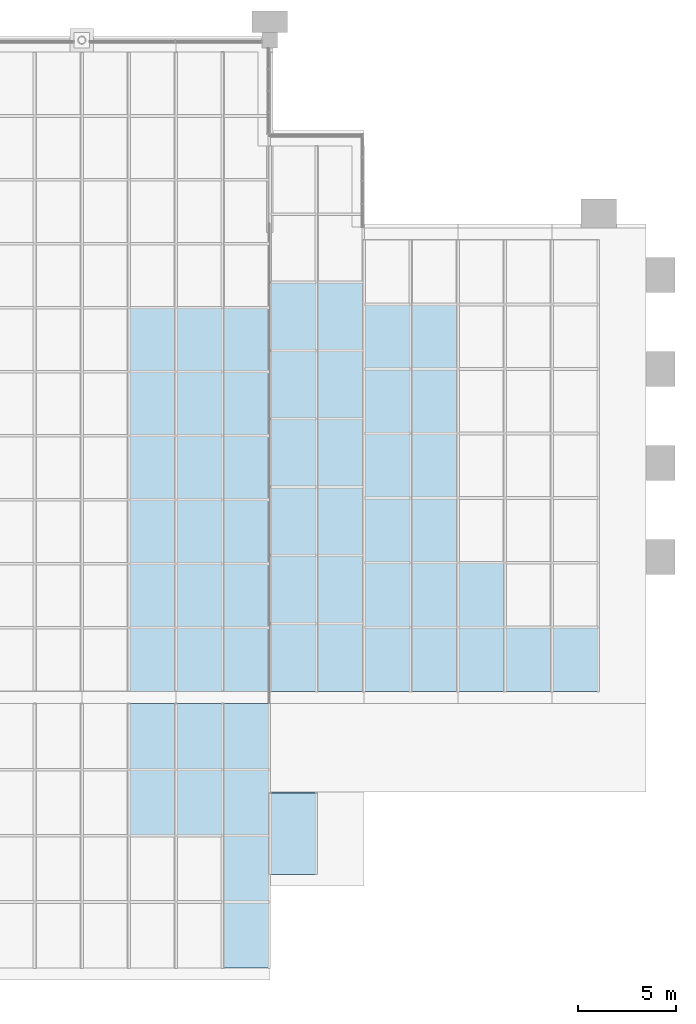
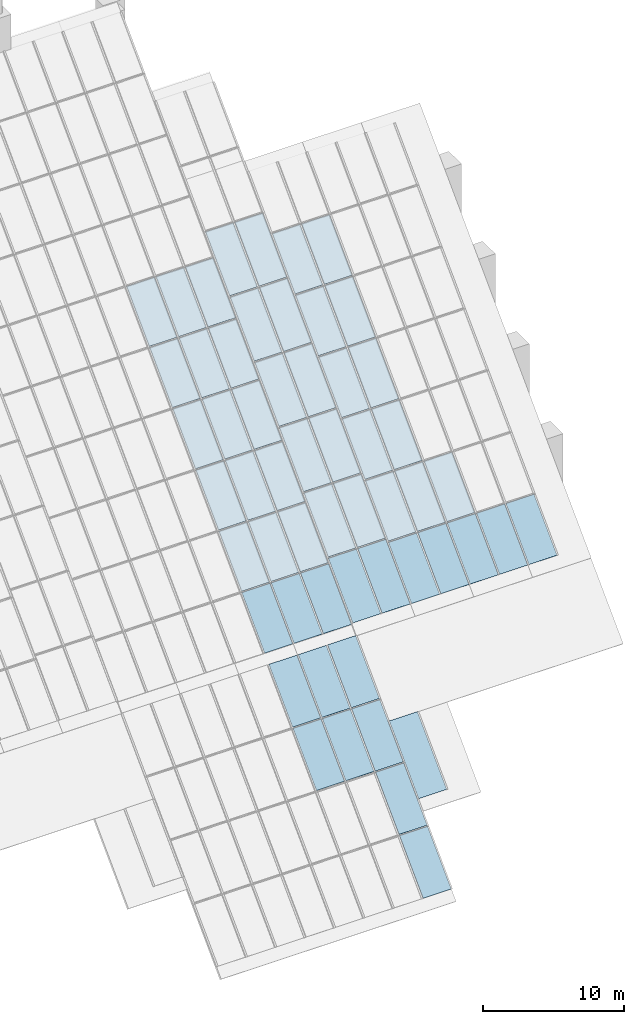
# One storey, part 19 of 25: 55 plates, 14 elements without a shape of their own.
"""IFC4 building model written with IfcOpenShell, lengths in metres."""

from ifc_helpers import new_model, si_unit, direction, frame, origin, place, context, subcontext, project, spatial, polyline, outline, extrude, material, layer, layer_set, type_object, element, aggregate, save


model = new_model("IFC4")

# Units and contexts
model_context = context("Model", 3, precision=1e-05, world=origin(), true_north=direction((0.0, 1.0)))
body_context = subcontext(model_context, "Body", "Model", "MODEL_VIEW")
ifc_project = project(units=[si_unit("LENGTHUNIT", "METRE"), si_unit("AREAUNIT", "SQUARE_METRE"), si_unit("VOLUMEUNIT", "CUBIC_METRE"), si_unit("PLANEANGLEUNIT", "RADIAN"), si_unit("MASSUNIT", "GRAM", prefix="KILO")], contexts=[model_context])

# Site, building, storey
site_placement = place(None, origin())
site = spatial("IfcSite", under=ifc_project, at=site_placement, CompositionType="ELEMENT")
building_placement = place(site_placement, origin())
building = spatial("IfcBuilding", under=site, at=building_placement, Name="Baori Bourse Tower", CompositionType="ELEMENT")
storey_placement = place(building_placement, frame((0.0, 0.0, 378.300048828125)))
storey = spatial("IfcBuildingStorey", under=building, at=storey_placement, Name="Roof", CompositionType="ELEMENT", Elevation=378.300048828125)

# Curtain wall, plates
ifc_material_1 = material(Name="Pale anodised aluminium", Category="aluminium")
curtain_wall_type = type_object("IfcCurtainWallType", Name="CW4 Curtain wall", PredefinedType="NOTDEFINED", material=ifc_material_1)
curtain_wall_1_placement = place(storey_placement, origin())
curtain_wall_1 = element("IfcCurtainWall", 1, at=curtain_wall_1_placement, inside=storey, type_object=curtain_wall_type, Name="Curtain wall CW4 roof glazing 19", PredefinedType="NOTDEFINED")
ifc_material_2 = material(Name="Clear glass", Category="glass")
ifc_layer = layer(ifc_material_2, 0.02587890625)
ifc_layer_set = layer_set([ifc_layer], Name="CW4 Curtain wall panel")
plate_type = type_object("IfcPlateType", Name="CW4 Curtain wall panel", PredefinedType="CURTAIN_PANEL", material=ifc_layer_set)
plate_1_placement = place(storey_placement, frame((31.25, 14.723388671875, -0.474365234375), z_axis=(0.0, -0.711461493798, 0.702725083403), x_axis=(1.0, 0.0, 0.0)))
plate_1 = element("IfcPlate", 2, at=plate_1_placement, type_object=plate_type, Name="Curtain wall CW4 roof glass 19.1", PredefinedType="CURTAIN_PANEL", context=body_context, shape_type="SweptSolid", body=[
    extrude(outline(polyline([(0.0, 0.0), (2.300048828125, 0.0), (2.300048828125, 4.610955907978166), (0.0, 4.610955907978166), (0.0, 0.0)])), origin(), (0.0, 0.0, -1.0), 0.02587890625),
])
plate_2_placement = place(storey_placement, frame((31.25, 18.0185546875, 2.86181640625), z_axis=(0.0, -0.711498538382, 0.702687576296), x_axis=(1.0, 0.0, 0.0)))
plate_2 = element("IfcPlate", 3, at=plate_2_placement, type_object=plate_type, Name="Curtain wall CW4 roof glass 19.2", PredefinedType="CURTAIN_PANEL", context=body_context, shape_type="SweptSolid", body=[
    extrude(outline(polyline([(0.0, 0.0), (2.300048828125, 0.0), (2.300048828125, 4.571941489715928), (0.0, 4.571941489715928), (0.0, 0.0)])), origin(), (0.0, 0.0, -1.0), 0.02587890625),
])
plate_3_placement = place(storey_placement, frame((31.25, 21.286376953125, 6.17041015625), z_axis=(0.0, -0.711498538382, 0.702687576296), x_axis=(1.0, 0.0, 0.0)))
plate_3 = element("IfcPlate", 4, at=plate_3_placement, type_object=plate_type, Name="Curtain wall CW4 roof glass 19.3", PredefinedType="CURTAIN_PANEL", context=body_context, shape_type="SweptSolid", body=[
    extrude(outline(polyline([(0.0, 0.0), (2.300048828125, 0.0), (2.300048828125, 4.571941489715928), (0.0, 4.571941489715928), (0.0, 0.0)])), origin(), (0.0, 0.0, -1.0), 0.02587890625),
])
plate_4_placement = place(storey_placement, frame((31.25, 24.553955078125, 9.47900390625), z_axis=(0.0, -0.711472169684, 0.702714274628), x_axis=(1.0, 0.0, 0.0)))
plate_4 = element("IfcPlate", 5, at=plate_4_placement, type_object=plate_type, Name="Curtain wall CW4 roof glass 19.4", PredefinedType="CURTAIN_PANEL", context=body_context, shape_type="SweptSolid", body=[
    extrude(outline(polyline([(0.0, 0.0), (2.300048828125, 0.0), (2.300048828125, 4.571767787236855), (0.0, 4.571767787236855), (0.0, 0.0)])), origin(), (0.0, 0.0, -1.0), 0.02587890625),
])
plate_5_placement = place(storey_placement, frame((31.25, 27.821533203125, 12.787353515625), z_axis=(0.0, -0.711498538382, 0.702687576296), x_axis=(1.0, 0.0, 0.0)))
plate_5 = element("IfcPlate", 6, at=plate_5_placement, type_object=plate_type, Name="Curtain wall CW4 roof glass 19.5", PredefinedType="CURTAIN_PANEL", context=body_context, shape_type="SweptSolid", body=[
    extrude(outline(polyline([(0.0, 0.0), (2.300048828125, 0.0), (2.300048828125, 4.571941489715928), (0.0, 4.571941489715928), (0.0, 0.0)])), origin(), (0.0, 0.0, -1.0), 0.02587890625),
])
plate_6_placement = place(storey_placement, frame((31.25, 31.089111328125, 16.095947265625), z_axis=(0.0, -0.71144547132, 0.702741304704), x_axis=(1.0, 0.0, 0.0)))
plate_6 = element("IfcPlate", 7, at=plate_6_placement, type_object=plate_type, Name="Curtain wall CW4 roof glass 19.6", PredefinedType="CURTAIN_PANEL", context=body_context, shape_type="SweptSolid", body=[
    extrude(outline(polyline([(0.0, 0.0), (2.300048828125, 0.0), (2.300048828125, 4.57193935163869), (0.0, 4.57193935163869), (0.0, 0.0)])), origin(), (0.0, 0.0, -1.0), 0.02587890625),
])
aggregate(curtain_wall_1, [plate_1, plate_2, plate_3, plate_4, plate_5, plate_6])

curtain_wall_2_placement = place(storey_placement, origin())
curtain_wall_2 = element("IfcCurtainWall", 8, at=curtain_wall_2_placement, inside=storey, type_object=curtain_wall_type, Name="Curtain wall CW4 roof glazing 20", PredefinedType="NOTDEFINED")
plate_7_placement = place(storey_placement, frame((31.25, 7.3896484375, -7.89990234375), z_axis=(0.0, -0.711477384049, 0.702708995236), x_axis=(1.0, 0.0, 0.0)))
plate_7 = element("IfcPlate", 9, at=plate_7_placement, type_object=plate_type, Name="Curtain wall CW4 roof glass 20.3", PredefinedType="CURTAIN_PANEL", context=body_context, shape_type="SweptSolid", body=[
    extrude(outline(polyline([(0.0, 0.0), (2.300048828125, 0.0), (2.300048828125, 4.733356051435262), (0.0, 4.733356051435262), (0.0, 0.0)])), origin(), (0.0, 0.0, -1.0), 0.02587890625),
])
plate_8_placement = place(storey_placement, frame((31.25, 10.770751953125, -4.4765625), z_axis=(0.0, -0.711492286717, 0.702693906293), x_axis=(1.0, 0.0, 0.0)))
plate_8 = element("IfcPlate", 10, at=plate_8_placement, type_object=plate_type, Name="Curtain wall CW4 roof glass 20.4", PredefinedType="CURTAIN_PANEL", context=body_context, shape_type="SweptSolid", body=[
    extrude(outline(polyline([(0.0, 0.0), (2.300048828125, 0.0), (2.300048828125, 4.772717872730097), (0.0, 4.772717872730097), (0.0, 0.0)])), origin(), (0.0, 0.0, -1.0), 0.02587890625),
])
aggregate(curtain_wall_2, [plate_7, plate_8])

curtain_wall_3_placement = place(storey_placement, origin())
curtain_wall_3 = element("IfcCurtainWall", 11, at=curtain_wall_3_placement, inside=storey, type_object=curtain_wall_type, Name="Curtain wall CW4 roof glazing 21", PredefinedType="NOTDEFINED")
plate_9_placement = place(storey_placement, frame((33.64990234375, 14.723388671875, -0.474365234375), z_axis=(0.0, -0.711461493798, 0.702725083403), x_axis=(1.0, 0.0, 0.0)))
plate_9 = element("IfcPlate", 12, at=plate_9_placement, type_object=plate_type, Name="Curtain wall CW4 roof glass 21.1", PredefinedType="CURTAIN_PANEL", context=body_context, shape_type="SweptSolid", body=[
    extrude(outline(polyline([(0.0, 0.0), (2.300048828125, 0.0), (2.300048828125, 4.610955907978166), (0.0, 4.610955907978166), (0.0, 0.0)])), origin(), (0.0, 0.0, -1.0), 0.02587890625),
])
plate_10_placement = place(storey_placement, frame((33.64990234375, 18.0185546875, 2.86181640625), z_axis=(0.0, -0.711498538382, 0.702687576296), x_axis=(1.0, 0.0, 0.0)))
plate_10 = element("IfcPlate", 13, at=plate_10_placement, type_object=plate_type, Name="Curtain wall CW4 roof glass 21.2", PredefinedType="CURTAIN_PANEL", context=body_context, shape_type="SweptSolid", body=[
    extrude(outline(polyline([(0.0, 0.0), (2.300048828125, 0.0), (2.300048828125, 4.571941489715928), (0.0, 4.571941489715928), (0.0, 0.0)])), origin(), (0.0, 0.0, -1.0), 0.02587890625),
])
plate_11_placement = place(storey_placement, frame((33.64990234375, 21.286376953125, 6.17041015625), z_axis=(0.0, -0.711498538382, 0.702687576296), x_axis=(1.0, 0.0, 0.0)))
plate_11 = element("IfcPlate", 14, at=plate_11_placement, type_object=plate_type, Name="Curtain wall CW4 roof glass 21.3", PredefinedType="CURTAIN_PANEL", context=body_context, shape_type="SweptSolid", body=[
    extrude(outline(polyline([(0.0, 0.0), (2.300048828125, 0.0), (2.300048828125, 4.571941489715928), (0.0, 4.571941489715928), (0.0, 0.0)])), origin(), (0.0, 0.0, -1.0), 0.02587890625),
])
plate_12_placement = place(storey_placement, frame((33.64990234375, 24.553955078125, 9.47900390625), z_axis=(0.0, -0.711472169684, 0.702714274628), x_axis=(1.0, 0.0, 0.0)))
plate_12 = element("IfcPlate", 15, at=plate_12_placement, type_object=plate_type, Name="Curtain wall CW4 roof glass 21.4", PredefinedType="CURTAIN_PANEL", context=body_context, shape_type="SweptSolid", body=[
    extrude(outline(polyline([(0.0, 0.0), (2.300048828125, 0.0), (2.300048828125, 4.571767787236855), (0.0, 4.571767787236855), (0.0, 0.0)])), origin(), (0.0, 0.0, -1.0), 0.02587890625),
])
plate_13_placement = place(storey_placement, frame((33.64990234375, 27.821533203125, 12.787353515625), z_axis=(0.0, -0.711498538382, 0.702687576296), x_axis=(1.0, 0.0, 0.0)))
plate_13 = element("IfcPlate", 16, at=plate_13_placement, type_object=plate_type, Name="Curtain wall CW4 roof glass 21.5", PredefinedType="CURTAIN_PANEL", context=body_context, shape_type="SweptSolid", body=[
    extrude(outline(polyline([(0.0, 0.0), (2.300048828125, 0.0), (2.300048828125, 4.571941489715928), (0.0, 4.571941489715928), (0.0, 0.0)])), origin(), (0.0, 0.0, -1.0), 0.02587890625),
])
plate_14_placement = place(storey_placement, frame((33.64990234375, 31.089111328125, 16.095947265625), z_axis=(0.0, -0.71144547132, 0.702741304704), x_axis=(1.0, 0.0, 0.0)))
plate_14 = element("IfcPlate", 17, at=plate_14_placement, type_object=plate_type, Name="Curtain wall CW4 roof glass 21.6", PredefinedType="CURTAIN_PANEL", context=body_context, shape_type="SweptSolid", body=[
    extrude(outline(polyline([(0.0, 0.0), (2.300048828125, 0.0), (2.300048828125, 4.57193935163869), (0.0, 4.57193935163869), (0.0, 0.0)])), origin(), (0.0, 0.0, -1.0), 0.02587890625),
])
aggregate(curtain_wall_3, [plate_9, plate_10, plate_11, plate_12, plate_13, plate_14])

curtain_wall_4_placement = place(storey_placement, origin())
curtain_wall_4 = element("IfcCurtainWall", 18, at=curtain_wall_4_placement, inside=storey, type_object=curtain_wall_type, Name="Curtain wall CW4 roof glazing 22", PredefinedType="NOTDEFINED")
plate_15_placement = place(storey_placement, frame((33.64990234375, 7.3896484375, -7.89990234375), z_axis=(0.0, -0.711477384049, 0.702708995236), x_axis=(1.0, 0.0, 0.0)))
plate_15 = element("IfcPlate", 19, at=plate_15_placement, type_object=plate_type, Name="Curtain wall CW4 roof glass 22.3", PredefinedType="CURTAIN_PANEL", context=body_context, shape_type="SweptSolid", body=[
    extrude(outline(polyline([(0.0, 0.0), (2.300048828125, 0.0), (2.300048828125, 4.733356051435262), (0.0, 4.733356051435262), (0.0, 0.0)])), origin(), (0.0, 0.0, -1.0), 0.02587890625),
])
plate_16_placement = place(storey_placement, frame((33.64990234375, 10.770751953125, -4.4765625), z_axis=(0.0, -0.711492286717, 0.702693906293), x_axis=(1.0, 0.0, 0.0)))
plate_16 = element("IfcPlate", 20, at=plate_16_placement, type_object=plate_type, Name="Curtain wall CW4 roof glass 22.4", PredefinedType="CURTAIN_PANEL", context=body_context, shape_type="SweptSolid", body=[
    extrude(outline(polyline([(0.0, 0.0), (2.300048828125, 0.0), (2.300048828125, 4.772717872730097), (0.0, 4.772717872730097), (0.0, 0.0)])), origin(), (0.0, 0.0, -1.0), 0.02587890625),
])
aggregate(curtain_wall_4, [plate_15, plate_16])

curtain_wall_5_placement = place(storey_placement, origin())
curtain_wall_5 = element("IfcCurtainWall", 21, at=curtain_wall_5_placement, inside=storey, type_object=curtain_wall_type, Name="Curtain wall CW4 roof glazing 23", PredefinedType="NOTDEFINED")
plate_17_placement = place(storey_placement, frame((36.050048828125, 14.723388671875, -0.474365234375), z_axis=(0.0, -0.711461493798, 0.702725083403), x_axis=(1.0, 0.0, 0.0)))
plate_17 = element("IfcPlate", 22, at=plate_17_placement, type_object=plate_type, Name="Curtain wall CW4 roof glass 23.1", PredefinedType="CURTAIN_PANEL", context=body_context, shape_type="SweptSolid", body=[
    extrude(outline(polyline([(0.0, 0.0), (2.300048828125, 0.0), (2.300048828125, 4.610955907978166), (0.0, 4.610955907978166), (0.0, 0.0)])), origin(), (0.0, 0.0, -1.0), 0.02587890625),
])
plate_18_placement = place(storey_placement, frame((36.050048828125, 18.0185546875, 2.86181640625), z_axis=(0.0, -0.711498538382, 0.702687576296), x_axis=(1.0, 0.0, 0.0)))
plate_18 = element("IfcPlate", 23, at=plate_18_placement, type_object=plate_type, Name="Curtain wall CW4 roof glass 23.2", PredefinedType="CURTAIN_PANEL", context=body_context, shape_type="SweptSolid", body=[
    extrude(outline(polyline([(0.0, 0.0), (2.300048828125, 0.0), (2.300048828125, 4.571941489715928), (0.0, 4.571941489715928), (0.0, 0.0)])), origin(), (0.0, 0.0, -1.0), 0.02587890625),
])
plate_19_placement = place(storey_placement, frame((36.050048828125, 21.286376953125, 6.17041015625), z_axis=(0.0, -0.711498538382, 0.702687576296), x_axis=(1.0, 0.0, 0.0)))
plate_19 = element("IfcPlate", 24, at=plate_19_placement, type_object=plate_type, Name="Curtain wall CW4 roof glass 23.3", PredefinedType="CURTAIN_PANEL", context=body_context, shape_type="SweptSolid", body=[
    extrude(outline(polyline([(0.0, 0.0), (2.300048828125, 0.0), (2.300048828125, 4.571941489715928), (0.0, 4.571941489715928), (0.0, 0.0)])), origin(), (0.0, 0.0, -1.0), 0.02587890625),
])
plate_20_placement = place(storey_placement, frame((36.050048828125, 24.553955078125, 9.47900390625), z_axis=(0.0, -0.711472169684, 0.702714274628), x_axis=(1.0, 0.0, 0.0)))
plate_20 = element("IfcPlate", 25, at=plate_20_placement, type_object=plate_type, Name="Curtain wall CW4 roof glass 23.4", PredefinedType="CURTAIN_PANEL", context=body_context, shape_type="SweptSolid", body=[
    extrude(outline(polyline([(0.0, 0.0), (2.300048828125, 0.0), (2.300048828125, 4.571767787236855), (0.0, 4.571767787236855), (0.0, 0.0)])), origin(), (0.0, 0.0, -1.0), 0.02587890625),
])
plate_21_placement = place(storey_placement, frame((36.050048828125, 27.821533203125, 12.787353515625), z_axis=(0.0, -0.711498538382, 0.702687576296), x_axis=(1.0, 0.0, 0.0)))
plate_21 = element("IfcPlate", 26, at=plate_21_placement, type_object=plate_type, Name="Curtain wall CW4 roof glass 23.5", PredefinedType="CURTAIN_PANEL", context=body_context, shape_type="SweptSolid", body=[
    extrude(outline(polyline([(0.0, 0.0), (2.300048828125, 0.0), (2.300048828125, 4.571941489715928), (0.0, 4.571941489715928), (0.0, 0.0)])), origin(), (0.0, 0.0, -1.0), 0.02587890625),
])
plate_22_placement = place(storey_placement, frame((36.050048828125, 31.089111328125, 16.095947265625), z_axis=(0.0, -0.71144547132, 0.702741304704), x_axis=(1.0, 0.0, 0.0)))
plate_22 = element("IfcPlate", 27, at=plate_22_placement, type_object=plate_type, Name="Curtain wall CW4 roof glass 23.6", PredefinedType="CURTAIN_PANEL", context=body_context, shape_type="SweptSolid", body=[
    extrude(outline(polyline([(0.0, 0.0), (2.300048828125, 0.0), (2.300048828125, 4.57193935163869), (0.0, 4.57193935163869), (0.0, 0.0)])), origin(), (0.0, 0.0, -1.0), 0.02587890625),
])
aggregate(curtain_wall_5, [plate_17, plate_18, plate_19, plate_20, plate_21, plate_22])

curtain_wall_6_placement = place(storey_placement, origin())
curtain_wall_6 = element("IfcCurtainWall", 28, at=curtain_wall_6_placement, inside=storey, type_object=curtain_wall_type, Name="Curtain wall CW4 roof glazing 24", PredefinedType="NOTDEFINED")
plate_23_placement = place(storey_placement, frame((36.050048828125, 0.60009765625, -14.7744140625), z_axis=(0.0, -0.711492602999, 0.702693586051), x_axis=(1.0, 0.0, 0.0)))
plate_23 = element("IfcPlate", 29, at=plate_23_placement, type_object=plate_type, Name="Curtain wall CW4 roof glass 24.1", PredefinedType="CURTAIN_PANEL", context=body_context, shape_type="SweptSolid", body=[
    extrude(outline(polyline([(0.0, 0.0), (2.300048828125, 0.0), (2.300048828125, 4.772372612429553), (0.0, 4.772372612429553), (0.0, 0.0)])), origin(), (0.0, 0.0, -1.0), 0.02587890625),
])
plate_24_placement = place(storey_placement, frame((36.050048828125, 4.008544921875, -11.3232421875), z_axis=(0.0, -0.711477384049, 0.702708995236), x_axis=(1.0, 0.0, 0.0)))
plate_24 = element("IfcPlate", 30, at=plate_24_placement, type_object=plate_type, Name="Curtain wall CW4 roof glass 24.2", PredefinedType="CURTAIN_PANEL", context=body_context, shape_type="SweptSolid", body=[
    extrude(outline(polyline([(0.0, 0.0), (2.300048828125, 0.0), (2.300048828125, 4.733356051435262), (0.0, 4.733356051435262), (0.0, 0.0)])), origin(), (0.0, 0.0, -1.0), 0.02587890625),
])
plate_25_placement = place(storey_placement, frame((36.050048828125, 7.3896484375, -7.89990234375), z_axis=(0.0, -0.711477384049, 0.702708995236), x_axis=(1.0, 0.0, 0.0)))
plate_25 = element("IfcPlate", 31, at=plate_25_placement, type_object=plate_type, Name="Curtain wall CW4 roof glass 24.3", PredefinedType="CURTAIN_PANEL", context=body_context, shape_type="SweptSolid", body=[
    extrude(outline(polyline([(0.0, 0.0), (2.300048828125, 0.0), (2.300048828125, 4.733356051435262), (0.0, 4.733356051435262), (0.0, 0.0)])), origin(), (0.0, 0.0, -1.0), 0.02587890625),
])
plate_26_placement = place(storey_placement, frame((36.050048828125, 10.770751953125, -4.4765625), z_axis=(0.0, -0.711492286717, 0.702693906293), x_axis=(1.0, 0.0, 0.0)))
plate_26 = element("IfcPlate", 32, at=plate_26_placement, type_object=plate_type, Name="Curtain wall CW4 roof glass 24.4", PredefinedType="CURTAIN_PANEL", context=body_context, shape_type="SweptSolid", body=[
    extrude(outline(polyline([(0.0, 0.0), (2.300048828125, 0.0), (2.300048828125, 4.772717872730097), (0.0, 4.772717872730097), (0.0, 0.0)])), origin(), (0.0, 0.0, -1.0), 0.02587890625),
])
aggregate(curtain_wall_6, [plate_23, plate_24, plate_25, plate_26])

curtain_wall_7_placement = place(storey_placement, origin())
curtain_wall_7 = element("IfcCurtainWall", 33, at=curtain_wall_7_placement, inside=storey, type_object=curtain_wall_type, Name="Curtain wall CW4 roof glazing 25", PredefinedType="NOTDEFINED")
plate_27_placement = place(storey_placement, frame((38.449951171875, 14.723388671875, -0.38916015625), z_axis=(0.0, -0.711509528176, 0.702676448527), x_axis=(1.0, 0.0, 0.0)))
plate_27 = element("IfcPlate", 34, at=plate_27_placement, type_object=plate_type, Name="Curtain wall CW4 roof glass 25.1", PredefinedType="CURTAIN_PANEL", context=body_context, shape_type="SweptSolid", body=[
    extrude(outline(polyline([(0.0, 0.0), (2.300048828125, 0.0), (2.300048828125, 4.919805206575271), (0.0, 4.919805206575271), (0.0, 0.0)])), origin(), (0.0, 0.0, -1.0), 0.02587890625),
])
plate_28_placement = place(storey_placement, frame((38.449951171875, 18.235595703125, 3.1669921875), z_axis=(0.0, -0.711495214068, 0.702690942277), x_axis=(1.0, 0.0, 0.0)))
plate_28 = element("IfcPlate", 35, at=plate_28_placement, type_object=plate_type, Name="Curtain wall CW4 roof glass 25.2", PredefinedType="CURTAIN_PANEL", context=body_context, shape_type="SweptSolid", body=[
    extrude(outline(polyline([(0.0, 0.0), (2.300048828125, 0.0), (2.300048828125, 4.88044338277737), (0.0, 4.88044338277737), (0.0, 0.0)])), origin(), (0.0, 0.0, -1.0), 0.02587890625),
])
plate_29_placement = place(storey_placement, frame((38.449951171875, 21.719970703125, 6.695068359375), z_axis=(0.0, -0.711470204299, 0.702716264501), x_axis=(1.0, 0.0, 0.0)))
plate_29 = element("IfcPlate", 36, at=plate_29_placement, type_object=plate_type, Name="Curtain wall CW4 roof glass 25.3", PredefinedType="CURTAIN_PANEL", context=body_context, shape_type="SweptSolid", body=[
    extrude(outline(polyline([(0.0, 0.0), (2.300048828125, 0.0), (2.300048828125, 4.880614941274346), (0.0, 4.880614941274346), (0.0, 0.0)])), origin(), (0.0, 0.0, -1.0), 0.02587890625),
])
plate_30_placement = place(storey_placement, frame((38.449951171875, 25.20458984375, 10.22314453125), z_axis=(0.0, -0.711470204299, 0.702716264501), x_axis=(1.0, 0.0, 0.0)))
plate_30 = element("IfcPlate", 37, at=plate_30_placement, type_object=plate_type, Name="Curtain wall CW4 roof glass 25.4", PredefinedType="CURTAIN_PANEL", context=body_context, shape_type="SweptSolid", body=[
    extrude(outline(polyline([(0.0, 0.0), (2.300048828125, 0.0), (2.300048828125, 4.880614941274346), (0.0, 4.880614941274346), (0.0, 0.0)])), origin(), (0.0, 0.0, -1.0), 0.02587890625),
])
plate_31_placement = place(storey_placement, frame((38.449951171875, 28.689208984375, 13.751220703125), z_axis=(0.0, -0.711470204299, 0.702716264501), x_axis=(1.0, 0.0, 0.0)))
plate_31 = element("IfcPlate", 38, at=plate_31_placement, type_object=plate_type, Name="Curtain wall CW4 roof glass 25.5", PredefinedType="CURTAIN_PANEL", context=body_context, shape_type="SweptSolid", body=[
    extrude(outline(polyline([(0.0, 0.0), (2.300048828125, 0.0), (2.300048828125, 4.880614941274346), (0.0, 4.880614941274346), (0.0, 0.0)])), origin(), (0.0, 0.0, -1.0), 0.02587890625),
])
plate_32_placement = place(storey_placement, frame((38.449951171875, 32.173828125, 17.279541015625), z_axis=(0.0, -0.711495214068, 0.702690942277), x_axis=(1.0, 0.0, 0.0)))
plate_32 = element("IfcPlate", 39, at=plate_32_placement, type_object=plate_type, Name="Curtain wall CW4 roof glass 25.6", PredefinedType="CURTAIN_PANEL", context=body_context, shape_type="SweptSolid", body=[
    extrude(outline(polyline([(0.0, 0.0), (2.300048828125, 0.0), (2.300048828125, 4.88044338277737), (0.0, 4.88044338277737), (0.0, 0.0)])), origin(), (0.0, 0.0, -1.0), 0.02587890625),
])
aggregate(curtain_wall_7, [plate_27, plate_28, plate_29, plate_30, plate_31, plate_32])

# Curtain wall, plate
curtain_wall_8_placement = place(storey_placement, origin())
curtain_wall_8 = element("IfcCurtainWall", 40, at=curtain_wall_8_placement, inside=storey, type_object=curtain_wall_type, Name="Curtain wall CW4 roof glazing 26", PredefinedType="NOTDEFINED")
plate_33_placement = place(storey_placement, frame((38.449951171875, 5.39990234375, -9.91455078125), z_axis=(0.0, -0.711475073661, 0.702711334446), x_axis=(1.0, 0.0, 0.0)))
plate_33 = element("IfcPlate", 41, at=plate_33_placement, type_object=plate_type, Name="Curtain wall CW4 roof glass 26.1", PredefinedType="CURTAIN_PANEL", context=body_context, shape_type="SweptSolid", body=[
    extrude(outline(polyline([(0.0, 0.0), (2.300048828125, 0.0), (2.300048828125, 5.905905143317725), (0.0, 5.905905143317725), (0.0, 0.0)])), origin(), (0.0, 0.0, -1.0), 0.02587890625),
])
aggregate(curtain_wall_8, [plate_33])

# Curtain wall, plates
curtain_wall_9_placement = place(storey_placement, origin())
curtain_wall_9 = element("IfcCurtainWall", 42, at=curtain_wall_9_placement, inside=storey, type_object=curtain_wall_type, Name="Curtain wall CW4 roof glazing 27", PredefinedType="NOTDEFINED")
plate_34_placement = place(storey_placement, frame((40.85009765625, 14.723388671875, -0.38916015625), z_axis=(0.0, -0.711509528176, 0.702676448527), x_axis=(1.0, 0.0, 0.0)))
plate_34 = element("IfcPlate", 43, at=plate_34_placement, type_object=plate_type, Name="Curtain wall CW4 roof glass 27.1", PredefinedType="CURTAIN_PANEL", context=body_context, shape_type="SweptSolid", body=[
    extrude(outline(polyline([(0.0, 0.0), (2.2998046875, 0.0), (2.2998046875, 4.91980520657527), (0.0, 4.91980520657527), (0.0, 0.0)])), origin(), (0.0, 0.0, -1.0), 0.02587890625),
])
plate_35_placement = place(storey_placement, frame((40.85009765625, 18.235595703125, 3.1669921875), z_axis=(0.0, -0.711495214068, 0.702690942277), x_axis=(1.0, 0.0, 0.0)))
plate_35 = element("IfcPlate", 44, at=plate_35_placement, type_object=plate_type, Name="Curtain wall CW4 roof glass 27.2", PredefinedType="CURTAIN_PANEL", context=body_context, shape_type="SweptSolid", body=[
    extrude(outline(polyline([(0.0, 0.0), (2.2998046875, 0.0), (2.2998046875, 4.88044338277737), (0.0, 4.88044338277737), (0.0, 0.0)])), origin(), (0.0, 0.0, -1.0), 0.02587890625),
])
plate_36_placement = place(storey_placement, frame((40.85009765625, 21.719970703125, 6.695068359375), z_axis=(0.0, -0.711470204299, 0.702716264501), x_axis=(1.0, 0.0, 0.0)))
plate_36 = element("IfcPlate", 45, at=plate_36_placement, type_object=plate_type, Name="Curtain wall CW4 roof glass 27.3", PredefinedType="CURTAIN_PANEL", context=body_context, shape_type="SweptSolid", body=[
    extrude(outline(polyline([(0.0, 0.0), (2.2998046875, 0.0), (2.2998046875, 4.880614941274346), (0.0, 4.880614941274346), (0.0, 0.0)])), origin(), (0.0, 0.0, -1.0), 0.02587890625),
])
plate_37_placement = place(storey_placement, frame((40.85009765625, 25.20458984375, 10.22314453125), z_axis=(0.0, -0.711470204299, 0.702716264501), x_axis=(1.0, 0.0, 0.0)))
plate_37 = element("IfcPlate", 46, at=plate_37_placement, type_object=plate_type, Name="Curtain wall CW4 roof glass 27.4", PredefinedType="CURTAIN_PANEL", context=body_context, shape_type="SweptSolid", body=[
    extrude(outline(polyline([(0.0, 0.0), (2.2998046875, 0.0), (2.2998046875, 4.880614941274346), (0.0, 4.880614941274346), (0.0, 0.0)])), origin(), (0.0, 0.0, -1.0), 0.02587890625),
])
plate_38_placement = place(storey_placement, frame((40.85009765625, 28.689208984375, 13.751220703125), z_axis=(0.0, -0.711470204299, 0.702716264501), x_axis=(1.0, 0.0, 0.0)))
plate_38 = element("IfcPlate", 47, at=plate_38_placement, type_object=plate_type, Name="Curtain wall CW4 roof glass 27.5", PredefinedType="CURTAIN_PANEL", context=body_context, shape_type="SweptSolid", body=[
    extrude(outline(polyline([(0.0, 0.0), (2.2998046875, 0.0), (2.2998046875, 4.880614941274346), (0.0, 4.880614941274346), (0.0, 0.0)])), origin(), (0.0, 0.0, -1.0), 0.02587890625),
])
plate_39_placement = place(storey_placement, frame((40.85009765625, 32.173828125, 17.279541015625), z_axis=(0.0, -0.711495214068, 0.702690942277), x_axis=(1.0, 0.0, 0.0)))
plate_39 = element("IfcPlate", 48, at=plate_39_placement, type_object=plate_type, Name="Curtain wall CW4 roof glass 27.6", PredefinedType="CURTAIN_PANEL", context=body_context, shape_type="SweptSolid", body=[
    extrude(outline(polyline([(0.0, 0.0), (2.2998046875, 0.0), (2.2998046875, 4.88044338277737), (0.0, 4.88044338277737), (0.0, 0.0)])), origin(), (0.0, 0.0, -1.0), 0.02587890625),
])
aggregate(curtain_wall_9, [plate_34, plate_35, plate_36, plate_37, plate_38, plate_39])

curtain_wall_10_placement = place(storey_placement, origin())
curtain_wall_10 = element("IfcCurtainWall", 49, at=curtain_wall_10_placement, inside=storey, type_object=curtain_wall_type, Name="Curtain wall CW4 roof glazing 28", PredefinedType="NOTDEFINED")
plate_40_placement = place(storey_placement, frame((43.25, 14.723388671875, -0.38916015625), z_axis=(0.0, -0.711474983722, 0.702711425507), x_axis=(1.0, 0.0, 0.0)))
plate_40 = element("IfcPlate", 50, at=plate_40_placement, type_object=plate_type, Name="Curtain wall CW4 roof glass 28.1", PredefinedType="CURTAIN_PANEL", context=body_context, shape_type="SweptSolid", body=[
    extrude(outline(polyline([(0.0, 0.0), (2.300048828125, 0.0), (2.300048828125, 4.652389289127015), (0.0, 4.652389289127015), (0.0, 0.0)])), origin(), (0.0, 0.0, -1.0), 0.02587890625),
])
plate_41_placement = place(storey_placement, frame((43.25, 18.047607421875, 2.9765625), z_axis=(0.0, -0.711485678109, 0.702700597585), x_axis=(1.0, 0.0, 0.0)))
plate_41 = element("IfcPlate", 51, at=plate_41_placement, type_object=plate_type, Name="Curtain wall CW4 roof glass 28.2", PredefinedType="CURTAIN_PANEL", context=body_context, shape_type="SweptSolid", body=[
    extrude(outline(polyline([(0.0, 0.0), (2.300048828125, 0.0), (2.300048828125, 4.613201169732892), (0.0, 4.613201169732892), (0.0, 0.0)])), origin(), (0.0, 0.0, -1.0), 0.02587890625),
])
plate_42_placement = place(storey_placement, frame((43.25, 21.34423828125, 6.314453125), z_axis=(0.0, -0.711485678109, 0.702700597585), x_axis=(1.0, 0.0, 0.0)))
plate_42 = element("IfcPlate", 52, at=plate_42_placement, type_object=plate_type, Name="Curtain wall CW4 roof glass 28.3", PredefinedType="CURTAIN_PANEL", context=body_context, shape_type="SweptSolid", body=[
    extrude(outline(polyline([(0.0, 0.0), (2.300048828125, 0.0), (2.300048828125, 4.613201169732892), (0.0, 4.613201169732892), (0.0, 0.0)])), origin(), (0.0, 0.0, -1.0), 0.02587890625),
])
plate_43_placement = place(storey_placement, frame((43.25, 24.640869140625, 9.65234375), z_axis=(0.0, -0.711485678109, 0.702700597585), x_axis=(1.0, 0.0, 0.0)))
plate_43 = element("IfcPlate", 53, at=plate_43_placement, type_object=plate_type, Name="Curtain wall CW4 roof glass 28.4", PredefinedType="CURTAIN_PANEL", context=body_context, shape_type="SweptSolid", body=[
    extrude(outline(polyline([(0.0, 0.0), (2.300048828125, 0.0), (2.300048828125, 4.613201169732892), (0.0, 4.613201169732892), (0.0, 0.0)])), origin(), (0.0, 0.0, -1.0), 0.02587890625),
])
plate_44_placement = place(storey_placement, frame((43.25, 27.9375, 12.990234375), z_axis=(0.0, -0.711485678109, 0.702700597585), x_axis=(1.0, 0.0, 0.0)))
plate_44 = element("IfcPlate", 54, at=plate_44_placement, type_object=plate_type, Name="Curtain wall CW4 roof glass 28.5", PredefinedType="CURTAIN_PANEL", context=body_context, shape_type="SweptSolid", body=[
    extrude(outline(polyline([(0.0, 0.0), (2.300048828125, 0.0), (2.300048828125, 4.613201169732892), (0.0, 4.613201169732892), (0.0, 0.0)])), origin(), (0.0, 0.0, -1.0), 0.02587890625),
])
plate_45_placement = place(storey_placement, frame((43.25, 31.234130859375, 16.328125), z_axis=(0.0, -0.711485678109, 0.702700597585), x_axis=(1.0, 0.0, 0.0)))
plate_45 = element("IfcPlate", 55, at=plate_45_placement, type_object=plate_type, Name="Curtain wall CW4 roof glass 28.6", PredefinedType="CURTAIN_PANEL", context=body_context, shape_type="SweptSolid", body=[
    extrude(outline(polyline([(0.0, 0.0), (2.300048828125, 0.0), (2.300048828125, 4.613201169732892), (0.0, 4.613201169732892), (0.0, 0.0)])), origin(), (0.0, 0.0, -1.0), 0.02587890625),
])
aggregate(curtain_wall_10, [plate_40, plate_41, plate_42, plate_43, plate_44, plate_45])

curtain_wall_11_placement = place(storey_placement, origin())
curtain_wall_11 = element("IfcCurtainWall", 56, at=curtain_wall_11_placement, inside=storey, type_object=curtain_wall_type, Name="Curtain wall CW4 roof glazing 29", PredefinedType="NOTDEFINED")
plate_46_placement = place(storey_placement, frame((45.64990234375, 14.723388671875, -0.38916015625), z_axis=(0.0, -0.711474983722, 0.702711425507), x_axis=(1.0, 0.0, 0.0)))
plate_46 = element("IfcPlate", 57, at=plate_46_placement, type_object=plate_type, Name="Curtain wall CW4 roof glass 29.1", PredefinedType="CURTAIN_PANEL", context=body_context, shape_type="SweptSolid", body=[
    extrude(outline(polyline([(0.0, 0.0), (2.300048828125, 0.0), (2.300048828125, 4.652389289127015), (0.0, 4.652389289127015), (0.0, 0.0)])), origin(), (0.0, 0.0, -1.0), 0.02587890625),
])
plate_47_placement = place(storey_placement, frame((45.64990234375, 18.047607421875, 2.9765625), z_axis=(0.0, -0.711485678109, 0.702700597585), x_axis=(1.0, 0.0, 0.0)))
plate_47 = element("IfcPlate", 58, at=plate_47_placement, type_object=plate_type, Name="Curtain wall CW4 roof glass 29.2", PredefinedType="CURTAIN_PANEL", context=body_context, shape_type="SweptSolid", body=[
    extrude(outline(polyline([(0.0, 0.0), (2.300048828125, 0.0), (2.300048828125, 4.613201169732892), (0.0, 4.613201169732892), (0.0, 0.0)])), origin(), (0.0, 0.0, -1.0), 0.02587890625),
])
plate_48_placement = place(storey_placement, frame((45.64990234375, 21.34423828125, 6.314453125), z_axis=(0.0, -0.711485678109, 0.702700597585), x_axis=(1.0, 0.0, 0.0)))
plate_48 = element("IfcPlate", 59, at=plate_48_placement, type_object=plate_type, Name="Curtain wall CW4 roof glass 29.3", PredefinedType="CURTAIN_PANEL", context=body_context, shape_type="SweptSolid", body=[
    extrude(outline(polyline([(0.0, 0.0), (2.300048828125, 0.0), (2.300048828125, 4.613201169732892), (0.0, 4.613201169732892), (0.0, 0.0)])), origin(), (0.0, 0.0, -1.0), 0.02587890625),
])
plate_49_placement = place(storey_placement, frame((45.64990234375, 24.640869140625, 9.65234375), z_axis=(0.0, -0.711485678109, 0.702700597585), x_axis=(1.0, 0.0, 0.0)))
plate_49 = element("IfcPlate", 60, at=plate_49_placement, type_object=plate_type, Name="Curtain wall CW4 roof glass 29.4", PredefinedType="CURTAIN_PANEL", context=body_context, shape_type="SweptSolid", body=[
    extrude(outline(polyline([(0.0, 0.0), (2.300048828125, 0.0), (2.300048828125, 4.613201169732892), (0.0, 4.613201169732892), (0.0, 0.0)])), origin(), (0.0, 0.0, -1.0), 0.02587890625),
])
plate_50_placement = place(storey_placement, frame((45.64990234375, 27.9375, 12.990234375), z_axis=(0.0, -0.711485678109, 0.702700597585), x_axis=(1.0, 0.0, 0.0)))
plate_50 = element("IfcPlate", 61, at=plate_50_placement, type_object=plate_type, Name="Curtain wall CW4 roof glass 29.5", PredefinedType="CURTAIN_PANEL", context=body_context, shape_type="SweptSolid", body=[
    extrude(outline(polyline([(0.0, 0.0), (2.300048828125, 0.0), (2.300048828125, 4.613201169732892), (0.0, 4.613201169732892), (0.0, 0.0)])), origin(), (0.0, 0.0, -1.0), 0.02587890625),
])
plate_51_placement = place(storey_placement, frame((45.64990234375, 31.234130859375, 16.328125), z_axis=(0.0, -0.711485678109, 0.702700597585), x_axis=(1.0, 0.0, 0.0)))
plate_51 = element("IfcPlate", 62, at=plate_51_placement, type_object=plate_type, Name="Curtain wall CW4 roof glass 29.6", PredefinedType="CURTAIN_PANEL", context=body_context, shape_type="SweptSolid", body=[
    extrude(outline(polyline([(0.0, 0.0), (2.300048828125, 0.0), (2.300048828125, 4.613201169732892), (0.0, 4.613201169732892), (0.0, 0.0)])), origin(), (0.0, 0.0, -1.0), 0.02587890625),
])
aggregate(curtain_wall_11, [plate_46, plate_47, plate_48, plate_49, plate_50, plate_51])

curtain_wall_12_placement = place(storey_placement, origin())
curtain_wall_12 = element("IfcCurtainWall", 63, at=curtain_wall_12_placement, inside=storey, type_object=curtain_wall_type, Name="Curtain wall CW4 roof glazing 30", PredefinedType="NOTDEFINED")
plate_52_placement = place(storey_placement, frame((48.050048828125, 14.723388671875, -0.38916015625), z_axis=(0.0, -0.711474983722, 0.702711425507), x_axis=(1.0, 0.0, 0.0)))
plate_52 = element("IfcPlate", 64, at=plate_52_placement, type_object=plate_type, Name="Curtain wall CW4 roof glass 30.1", PredefinedType="CURTAIN_PANEL", context=body_context, shape_type="SweptSolid", body=[
    extrude(outline(polyline([(0.0, 0.0), (2.300048828125, 0.0), (2.300048828125, 4.652389289127015), (0.0, 4.652389289127015), (0.0, 0.0)])), origin(), (0.0, 0.0, -1.0), 0.02587890625),
])
plate_53_placement = place(storey_placement, frame((48.050048828125, 18.047607421875, 2.9765625), z_axis=(0.0, -0.711485678109, 0.702700597585), x_axis=(1.0, 0.0, 0.0)))
plate_53 = element("IfcPlate", 65, at=plate_53_placement, type_object=plate_type, Name="Curtain wall CW4 roof glass 30.2", PredefinedType="CURTAIN_PANEL", context=body_context, shape_type="SweptSolid", body=[
    extrude(outline(polyline([(0.0, 0.0), (2.300048828125, 0.0), (2.300048828125, 4.613201169732892), (0.0, 4.613201169732892), (0.0, 0.0)])), origin(), (0.0, 0.0, -1.0), 0.02587890625),
])
aggregate(curtain_wall_12, [plate_52, plate_53])

# Curtain wall, plate
curtain_wall_13_placement = place(storey_placement, origin())
curtain_wall_13 = element("IfcCurtainWall", 66, at=curtain_wall_13_placement, inside=storey, type_object=curtain_wall_type, Name="Curtain wall CW4 roof glazing 31", PredefinedType="NOTDEFINED")
plate_54_placement = place(storey_placement, frame((50.449951171875, 14.723388671875, -0.38916015625), z_axis=(0.0, -0.711474983722, 0.702711425507), x_axis=(1.0, 0.0, 0.0)))
plate_54 = element("IfcPlate", 67, at=plate_54_placement, type_object=plate_type, Name="Curtain wall CW4 roof glass 31.1", PredefinedType="CURTAIN_PANEL", context=body_context, shape_type="SweptSolid", body=[
    extrude(outline(polyline([(0.0, 0.0), (2.300048828125, 0.0), (2.300048828125, 4.652389289127015), (0.0, 4.652389289127015), (0.0, 0.0)])), origin(), (0.0, 0.0, -1.0), 0.02587890625),
])
aggregate(curtain_wall_13, [plate_54])

curtain_wall_14_placement = place(storey_placement, origin())
curtain_wall_14 = element("IfcCurtainWall", 68, at=curtain_wall_14_placement, inside=storey, type_object=curtain_wall_type, Name="Curtain wall CW4 roof glazing 32", PredefinedType="NOTDEFINED")
plate_55_placement = place(storey_placement, frame((52.85009765625, 14.723388671875, -0.38916015625), z_axis=(0.0, -0.711474983722, 0.702711425507), x_axis=(1.0, 0.0, 0.0)))
plate_55 = element("IfcPlate", 69, at=plate_55_placement, type_object=plate_type, Name="Curtain wall CW4 roof glass 32.1", PredefinedType="CURTAIN_PANEL", context=body_context, shape_type="SweptSolid", body=[
    extrude(outline(polyline([(0.0, 0.0), (2.2998046875, 0.0), (2.2998046875, 4.652389289127015), (0.0, 4.652389289127015), (0.0, 0.0)])), origin(), (0.0, 0.0, -1.0), 0.02587890625),
])
aggregate(curtain_wall_14, [plate_55])

save(model, "model.ifc")
